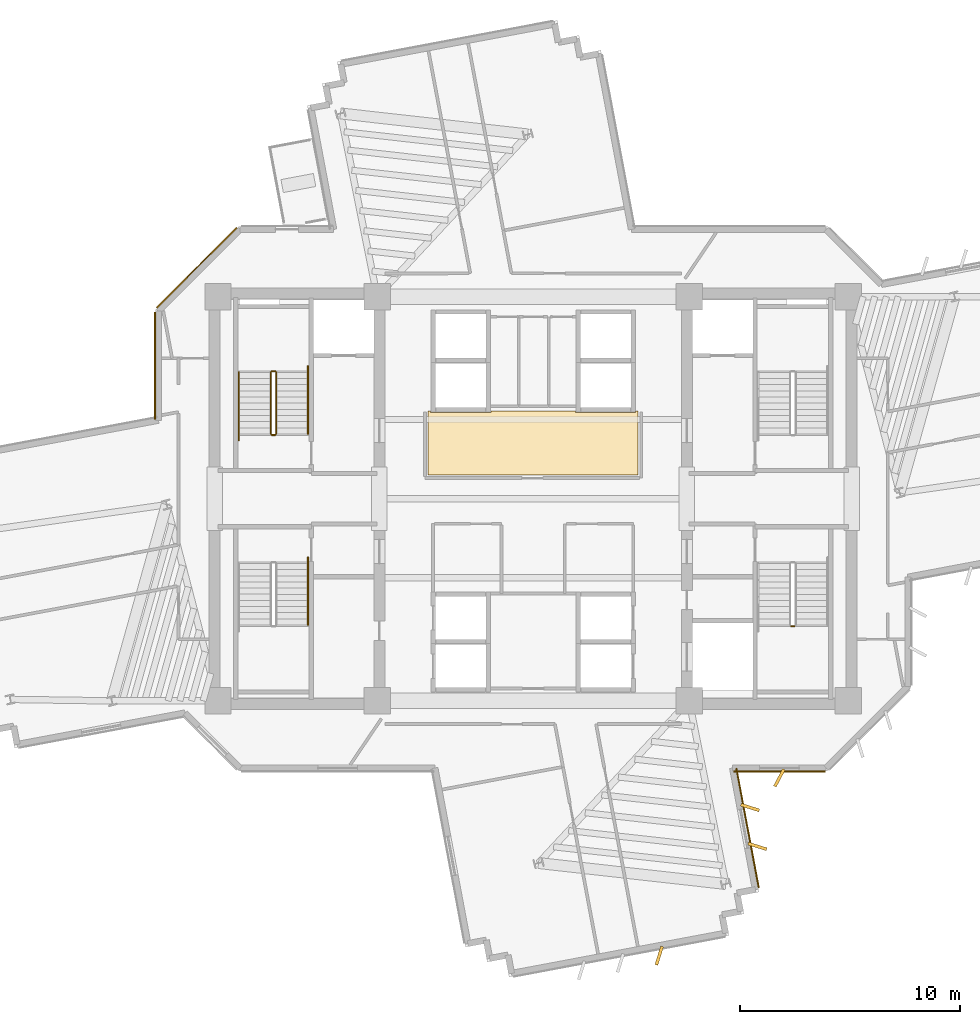
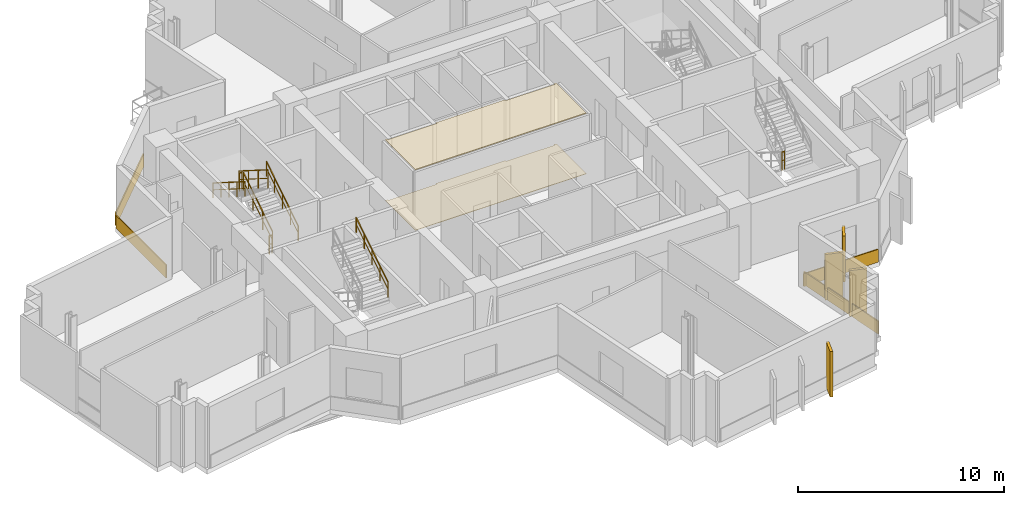
# One storey, part 14 of 16: 10 coverings, 8 railings.
"""IFC4 building model written with IfcOpenShell, lengths in metres."""

from ifc_helpers import new_model, si_unit, direction, frame, origin, origin_2d, place, context, subcontext, project, spatial, polyline, rectangle, outline, extrude, source, transform, mapped, material, layer, layer_set, type_object, element, save


model = new_model("IFC4")

# Units and contexts
model_context = context("Model", 3, precision=1e-05, world=origin(), true_north=direction((0.0, 1.0)))
body_context = subcontext(model_context, "Body", "Model", "MODEL_VIEW")
ifc_project = project(units=[si_unit("LENGTHUNIT", "METRE"), si_unit("AREAUNIT", "SQUARE_METRE"), si_unit("VOLUMEUNIT", "CUBIC_METRE"), si_unit("PLANEANGLEUNIT", "RADIAN"), si_unit("MASSUNIT", "GRAM", prefix="KILO")], contexts=[model_context])

# Site, building, storey
site_placement = place(None, origin())
site = spatial("IfcSite", under=ifc_project, at=site_placement, CompositionType="ELEMENT")
building_placement = place(site_placement, origin())
building = spatial("IfcBuilding", under=site, at=building_placement, Name="Zahravan Cultural Tower", CompositionType="ELEMENT")
storey_placement = place(building_placement, frame((0.0, 0.0, 147.300048828125)))
storey = spatial("IfcBuildingStorey", under=building, at=storey_placement, Name="L33", CompositionType="ELEMENT", Elevation=147.300048828125)

# Coverings
ifc_material_1 = material(Name="Acoustic mineral fibreboard")
ifc_layer_1 = layer(ifc_material_1, 0.0400390625)
ifc_layer_set_1 = layer_set([ifc_layer_1], Name="Acoustic mineral fibreboard")
covering_type_1 = type_object("IfcCoveringType", Name="COV-CEIL-AC20", PredefinedType="CEILING", material=ifc_layer_set_1)
covering_1_placement = place(storey_placement, frame((0.0, 0.0, 3.579833984375)))
element("IfcCovering", 1, at=covering_1_placement, inside=storey, type_object=covering_type_1, Name="L33 Acoustic Suspended Ceiling", PredefinedType="CEILING", context=body_context, shape_type="SweptSolid", body=[
    extrude(outline(polyline([(31.219970703125, 31.0), (31.219970703125, 28.080078125), (40.780029296875, 28.080078125), (40.780029296875, 31.0), (40.669921875, 31.0), (40.669921875, 30.929931640625), (37.929931640625, 30.929931640625), (37.929931640625, 31.0), (34.070068359375, 31.0), (34.070068359375, 30.929931640625), (31.330078125, 30.929931640625), (31.330078125, 31.0), (31.219970703125, 31.0)])), origin(), (0.0, 0.0, 1.0), 0.0400390625),
])
ifc_material_2 = material(Name="Terrazzo flooring")
ifc_layer_2 = layer(ifc_material_2, 0.02490234375)
ifc_layer_set_2 = layer_set([ifc_layer_2], Name="Terrazzo flooring")
covering_type_2 = type_object("IfcCoveringType", Name="COV-FLR-TZ25", PredefinedType="FLOORING", material=ifc_layer_set_2)
covering_2_placement = place(storey_placement, origin())
element("IfcCovering", 2, at=covering_2_placement, inside=storey, type_object=covering_type_2, Name="L33 Polished Terrazzo Flooring", PredefinedType="FLOORING", context=body_context, shape_type="SweptSolid", body=[
    extrude(outline(polyline([(31.219970703125, 31.0), (31.219970703125, 28.080078125), (40.780029296875, 28.080078125), (40.780029296875, 31.0), (40.669921875, 31.0), (40.669921875, 30.929931640625), (37.929931640625, 30.929931640625), (37.929931640625, 31.0), (34.070068359375, 31.0), (34.070068359375, 30.929931640625), (31.330078125, 30.929931640625), (31.330078125, 31.0), (31.219970703125, 31.0)])), origin(), (0.0, 0.0, 1.0), 0.02490234375),
])

# Railings
ifc_material_3 = material(Name="Steel ASTM A572 Grade 50", Category="steel")
railing_type_1 = type_object("IfcRailingType", Name="RL-STAIR-GRD1150", PredefinedType="BALUSTRADE", material=ifc_material_3)
railing_1_placement = place(storey_placement, frame((24.300048828125, 29.949951171875, 0.17724609375)))
element("IfcRailing", 3, at=railing_1_placement, inside=storey, type_object=railing_type_1, Name="L33 ST-W1 stair guard 1", PredefinedType="BALUSTRADE", context=body_context, shape_type="SweptSolid", body=[
    extrude(rectangle(XDim=0.05, YDim=0.05, at=origin_2d()), frame((0.0, 0.0, 1.0751953125), z_axis=(0.0, 0.844908973607, 0.534910110503), x_axis=(-1.0, 0.0, 0.0)), (0.0, 0.0, 1.0), 3.31396484375),
    extrude(rectangle(XDim=0.032, YDim=0.032, at=origin_2d()), frame((0.0, 0.0, 0.572021484375), z_axis=(0.0, 0.844908973607, 0.534910110503), x_axis=(-1.0, 0.0, 0.0)), (0.0, 0.0, 1.0), 3.31396484375),
    extrude(rectangle(XDim=0.04, YDim=0.04, at=origin_2d()), origin(), (0.0, 0.0, 1.0), 1.10009765625),
    extrude(rectangle(XDim=0.04, YDim=0.04, at=origin_2d()), frame((0.0, 0.933349609375, 0.5908203125)), (0.0, 0.0, 1.0), 1.10009765625),
    extrude(rectangle(XDim=0.04, YDim=0.04, at=origin_2d()), frame((0.0, 1.86669921875, 1.181884765625)), (0.0, 0.0, 1.0), 1.10009765625),
    extrude(rectangle(XDim=0.04, YDim=0.04, at=origin_2d()), frame((0.0, 2.800048828125, 1.772705078125)), (0.0, 0.0, 1.0), 1.10009765625),
])
railing_2_placement = place(storey_placement, frame((24.25, 32.800048828125, 1.949951171875)))
element("IfcRailing", 4, at=railing_2_placement, inside=storey, type_object=railing_type_1, Name="L33 ST-W1 stair guard 2", PredefinedType="BALUSTRADE", context=body_context, shape_type="SweptSolid", body=[
    extrude(rectangle(XDim=0.05, YDim=0.05, at=origin_2d()), frame((0.0, 0.0, 1.0751953125), z_axis=(-1.0, 0.0, 0.0), x_axis=(0.0, -1.0, 0.0)), (0.0, 0.0, 1.0), 0.14990234375),
    extrude(rectangle(XDim=0.032, YDim=0.032, at=origin_2d()), frame((0.0, 0.0, 0.572021484375), z_axis=(-1.0, 0.0, 0.0), x_axis=(0.0, -1.0, 0.0)), (0.0, 0.0, 1.0), 0.14990234375),
    extrude(rectangle(XDim=0.04, YDim=0.04, at=origin_2d()), origin(), (0.0, 0.0, 1.0), 1.10009765625),
    extrude(rectangle(XDim=0.04, YDim=0.04, at=origin_2d()), frame((-0.14990234375, 0.0, 0.0)), (0.0, 0.0, 1.0), 1.10009765625),
])
railing_3_placement = place(storey_placement, frame((24.050048828125, 32.75, 2.127197265625)))
element("IfcRailing", 5, at=railing_3_placement, inside=storey, type_object=railing_type_1, Name="L33 ST-W1 stair guard 3", PredefinedType="BALUSTRADE", context=body_context, shape_type="SweptSolid", body=[
    extrude(rectangle(XDim=0.05, YDim=0.05, at=origin_2d()), frame((0.0, 0.0, 1.0751953125), z_axis=(0.0, -0.844908973607, 0.534910110503), x_axis=(1.0, 0.0, 0.0)), (0.0, 0.0, 1.0), 3.31396484375),
    extrude(rectangle(XDim=0.032, YDim=0.032, at=origin_2d()), frame((0.0, 0.0, 0.572021484375), z_axis=(0.0, -0.844908973607, 0.534910110503), x_axis=(1.0, 0.0, 0.0)), (0.0, 0.0, 1.0), 3.31396484375),
    extrude(rectangle(XDim=0.04, YDim=0.04, at=origin_2d()), origin(), (0.0, 0.0, 1.0), 1.10009765625),
    extrude(rectangle(XDim=0.04, YDim=0.04, at=origin_2d()), frame((0.0, -0.933349609375, 0.5908203125)), (0.0, 0.0, 1.0), 1.10009765625),
    extrude(rectangle(XDim=0.04, YDim=0.04, at=origin_2d()), frame((0.0, -1.86669921875, 1.181884765625)), (0.0, 0.0, 1.0), 1.10009765625),
    extrude(rectangle(XDim=0.04, YDim=0.04, at=origin_2d()), frame((0.0, -2.800048828125, 1.772705078125)), (0.0, 0.0, 1.0), 1.10009765625),
])
railing_4_placement = place(storey_placement, frame((24.25, 29.89990234375, 0.0)))
element("IfcRailing", 6, at=railing_4_placement, inside=storey, type_object=railing_type_1, Name="L33 ST-W1 stair guard 4", PredefinedType="BALUSTRADE", context=body_context, shape_type="SweptSolid", body=[
    extrude(rectangle(XDim=0.05, YDim=0.05, at=origin_2d()), frame((0.0, 0.0, 1.0751953125), z_axis=(-1.0, 0.0, 0.0), x_axis=(0.0, -1.0, 0.0)), (0.0, 0.0, 1.0), 0.14990234375),
    extrude(rectangle(XDim=0.032, YDim=0.032, at=origin_2d()), frame((0.0, 0.0, 0.572021484375), z_axis=(-1.0, 0.0, 0.0), x_axis=(0.0, -1.0, 0.0)), (0.0, 0.0, 1.0), 0.14990234375),
    extrude(rectangle(XDim=0.04, YDim=0.04, at=origin_2d()), origin(), (0.0, 0.0, 1.0), 1.10009765625),
    extrude(rectangle(XDim=0.04, YDim=0.04, at=origin_2d()), frame((-0.14990234375, 0.0, 0.0)), (0.0, 0.0, 1.0), 1.10009765625),
])
railing_5_placement = place(storey_placement, frame((47.75, 21.199951171875, 1.949951171875)))
element("IfcRailing", 7, at=railing_5_placement, inside=storey, type_object=railing_type_1, Name="L33 ST-E2 stair guard 2", PredefinedType="BALUSTRADE", context=body_context, shape_type="SweptSolid", body=[
    extrude(rectangle(XDim=0.05, YDim=0.05, at=origin_2d()), frame((0.0, 0.0, 1.0751953125), z_axis=(1.0, 0.0, 0.0), x_axis=(0.0, 1.0, 0.0)), (0.0, 0.0, 1.0), 0.14990234375),
    extrude(rectangle(XDim=0.032, YDim=0.032, at=origin_2d()), frame((0.0, 0.0, 0.572021484375), z_axis=(1.0, 0.0, 0.0), x_axis=(0.0, 1.0, 0.0)), (0.0, 0.0, 1.0), 0.14990234375),
    extrude(rectangle(XDim=0.04, YDim=0.04, at=origin_2d()), origin(), (0.0, 0.0, 1.0), 1.10009765625),
    extrude(rectangle(XDim=0.04, YDim=0.04, at=origin_2d()), frame((0.14990234375, 0.0, 0.0)), (0.0, 0.0, 1.0), 1.10009765625),
])
railing_type_2 = type_object("IfcRailingType", Name="RL-STAIR-HR900", PredefinedType="HANDRAIL", material=ifc_material_3)
railing_6_placement = place(storey_placement, frame((25.75, 29.949951171875, 0.17724609375)))
element("IfcRailing", 8, at=railing_6_placement, inside=storey, type_object=railing_type_2, Name="L33 ST-W1 stair handrail 1", PredefinedType="HANDRAIL", context=body_context, shape_type="SweptSolid", body=[
    extrude(rectangle(XDim=0.05, YDim=0.05, at=origin_2d()), frame((0.0, 0.0, 0.875), z_axis=(0.0, 0.844913916606, 0.534902302785), x_axis=(-1.0, 0.0, 0.0)), (0.0, 0.0, 1.0), 3.6455078125),
    extrude(rectangle(XDim=0.032, YDim=0.032, at=origin_2d()), frame((0.0, 0.0, 0.468017578125), z_axis=(0.0, 0.844913916606, 0.534902302785), x_axis=(-1.0, 0.0, 0.0)), (0.0, 0.0, 1.0), 3.6455078125),
    extrude(rectangle(XDim=0.04, YDim=0.04, at=origin_2d()), origin(), (0.0, 0.0, 1.0), 0.89990234375),
    extrude(rectangle(XDim=0.04, YDim=0.04, at=origin_2d()), frame((0.0, 0.77001953125, 0.487548828125)), (0.0, 0.0, 1.0), 0.89990234375),
    extrude(rectangle(XDim=0.04, YDim=0.04, at=origin_2d()), frame((0.0, 1.5400390625, 0.97509765625)), (0.0, 0.0, 1.0), 0.89990234375),
    extrude(rectangle(XDim=0.04, YDim=0.04, at=origin_2d()), frame((0.0, 2.31005859375, 1.46240234375)), (0.0, 0.0, 1.0), 0.89990234375),
    extrude(rectangle(XDim=0.04, YDim=0.04, at=origin_2d()), frame((0.0, 3.080078125, 1.949951171875)), (0.0, 0.0, 1.0), 0.89990234375),
])
railing_7_placement = place(storey_placement, frame((22.60009765625, 32.75, 2.127197265625)))
element("IfcRailing", 9, at=railing_7_placement, inside=storey, type_object=railing_type_2, Name="L33 ST-W1 stair handrail 2", PredefinedType="HANDRAIL", context=body_context, shape_type="SweptSolid", body=[
    extrude(rectangle(XDim=0.05, YDim=0.05, at=origin_2d()), frame((0.0, 0.0, 0.875), z_axis=(0.0, -0.844913916606, 0.534902302785), x_axis=(1.0, 0.0, 0.0)), (0.0, 0.0, 1.0), 3.6455078125),
    extrude(rectangle(XDim=0.032, YDim=0.032, at=origin_2d()), frame((0.0, 0.0, 0.468017578125), z_axis=(0.0, -0.844913916606, 0.534902302785), x_axis=(1.0, 0.0, 0.0)), (0.0, 0.0, 1.0), 3.6455078125),
    extrude(rectangle(XDim=0.04, YDim=0.04, at=origin_2d()), origin(), (0.0, 0.0, 1.0), 0.89990234375),
    extrude(rectangle(XDim=0.04, YDim=0.04, at=origin_2d()), frame((0.0, -0.77001953125, 0.487548828125)), (0.0, 0.0, 1.0), 0.89990234375),
    extrude(rectangle(XDim=0.04, YDim=0.04, at=origin_2d()), frame((0.0, -1.5400390625, 0.97509765625)), (0.0, 0.0, 1.0), 0.89990234375),
    extrude(rectangle(XDim=0.04, YDim=0.04, at=origin_2d()), frame((0.0, -2.31005859375, 1.46240234375)), (0.0, 0.0, 1.0), 0.89990234375),
    extrude(rectangle(XDim=0.04, YDim=0.04, at=origin_2d()), frame((0.0, -3.080078125, 1.949951171875)), (0.0, 0.0, 1.0), 0.89990234375),
])
railing_8_placement = place(storey_placement, frame((25.75, 21.25, 2.127197265625)))
element("IfcRailing", 10, at=railing_8_placement, inside=storey, type_object=railing_type_2, Name="L33 ST-W2 stair handrail 2", PredefinedType="HANDRAIL", context=body_context, shape_type="SweptSolid", body=[
    extrude(rectangle(XDim=0.05, YDim=0.05, at=origin_2d()), frame((0.0, 0.0, 0.875), z_axis=(0.0, 0.844913916606, 0.534902302785), x_axis=(-1.0, 0.0, 0.0)), (0.0, 0.0, 1.0), 3.6455078125),
    extrude(rectangle(XDim=0.032, YDim=0.032, at=origin_2d()), frame((0.0, 0.0, 0.468017578125), z_axis=(0.0, 0.844913916606, 0.534902302785), x_axis=(-1.0, 0.0, 0.0)), (0.0, 0.0, 1.0), 3.6455078125),
    extrude(rectangle(XDim=0.04, YDim=0.04, at=origin_2d()), origin(), (0.0, 0.0, 1.0), 0.89990234375),
    extrude(rectangle(XDim=0.04, YDim=0.04, at=origin_2d()), frame((0.0, 0.77001953125, 0.487548828125)), (0.0, 0.0, 1.0), 0.89990234375),
    extrude(rectangle(XDim=0.04, YDim=0.04, at=origin_2d()), frame((0.0, 1.5400390625, 0.97509765625)), (0.0, 0.0, 1.0), 0.89990234375),
    extrude(rectangle(XDim=0.04, YDim=0.04, at=origin_2d()), frame((0.0, 2.31005859375, 1.46240234375)), (0.0, 0.0, 1.0), 0.89990234375),
    extrude(rectangle(XDim=0.04, YDim=0.04, at=origin_2d()), frame((0.0, 3.080078125, 1.949951171875)), (0.0, 0.0, 1.0), 0.89990234375),
])

# Coverings
ifc_material_4 = material(Name="Terracotta ceramic cladding", Category="masonry")
ifc_layer_3 = layer(ifc_material_4, 0.06005859375)
ifc_layer_set_3 = layer_set([ifc_layer_3], Name="Terracotta ceramic cladding")
covering_type_3 = type_object("IfcCoveringType", Name="COV-CLAD-TC60", PredefinedType="CLADDING", material=ifc_layer_set_3)
shared_shape_1 = source(origin(), body_context, "Body", "SweptSolid", [
    extrude(rectangle(XDim=5.157958984375, YDim=0.06005859375, at=origin_2d()), origin(), (0.0, 0.0, 1.0), 0.760009765625),
])
covering_3_placement = place(storey_placement, frame((20.682373046875, 37.517578125, 0.02001953125), z_axis=(0.0, 0.0, 1.0), x_axis=(0.707106781187, 0.707106781187, 0.0)))
element("IfcCovering", 11, at=covering_3_placement, inside=storey, type_object=covering_type_3, Name="L33 Terracotta Spandrel Cladding 38", PredefinedType="CLADDING", context=body_context, shape_type="MappedRepresentation", body=[
    mapped(shared_shape_1, transform((0.0, 0.0, 0.0), x_axis=(1.0, 0.0, 0.0), y_axis=(0.0, 1.0, 0.0), z_axis=(0.0, 0.0, 1.0), scale=1.0)),
])
shared_shape_2 = source(origin(), body_context, "Body", "SweptSolid", [
    extrude(rectangle(XDim=0.8798828125, YDim=0.139892578125, at=origin_2d()), origin(), (0.0, 0.0, 1.0), 2.699951171875),
])
for number, where, z_axis, x_axis, name in (
    (12, (47.2109375, 14.2900390625, 0.0498046875), (0.0, 0.0, 1.0), (-0.469471562786, -0.882947592859, 0.0), "L33 Herringbone Terracotta Fin 11"),
    (13, (45.8759765625, 12.93896484375, 0.0498046875), (0.0, 0.0, 1.0), (0.954454073286, -0.298357875692, 0.0), "L33 Herringbone Terracotta Fin 12"),
    (14, (46.20849609375, 11.169921875, 0.0498046875), (0.0, 0.0, 1.0), (0.954454073286, -0.298357875692, 0.0), "L33 Herringbone Terracotta Fin 13"),
    (15, (41.740478515625, 6.192138671875, 0.0498046875), (0.0, 0.0, 1.0), (-0.298374534012, -0.954448865814, 0.0), "L33 Herringbone Terracotta Fin 14"),
):
    element("IfcCovering", number, at=place(storey_placement, frame(where, z_axis=z_axis, x_axis=x_axis)), inside=storey, type_object=covering_type_3, Name=name, PredefinedType="CLADDING", context=body_context, shape_type="MappedRepresentation", body=[
        mapped(shared_shape_2, transform((0.0, 0.0, 0.0), x_axis=(1.0, 0.0, 0.0), y_axis=(0.0, 1.0, 0.0), z_axis=(0.0, 0.0, 1.0), scale=1.0)),
    ])
shared_shape_3 = source(origin(), body_context, "Body", "SweptSolid", [
    extrude(rectangle(XDim=4.870361328125, YDim=0.06005859375, at=origin_2d()), origin(), (0.0, 0.0, 1.0), 0.760009765625),
])
covering_4_placement = place(storey_placement, frame((18.77490234375, 33.056884765625, 0.02001953125), z_axis=(0.0, 0.0, 1.0), x_axis=(0.0, 1.0, 0.0)))
element("IfcCovering", 16, at=covering_4_placement, inside=storey, type_object=covering_type_3, Name="L33 Terracotta Spandrel Cladding 37", PredefinedType="CLADDING", context=body_context, shape_type="MappedRepresentation", body=[
    mapped(shared_shape_3, transform((0.0, 0.0, 0.0), x_axis=(1.0, 0.0, 0.0), y_axis=(0.0, 1.0, 0.0), z_axis=(0.0, 0.0, 1.0), scale=1.0)),
])
shared_shape_4 = source(origin(), body_context, "Body", "SweptSolid", [
    extrude(rectangle(XDim=4.162353515625, YDim=0.06005859375, at=origin_2d()), origin(), (0.0, 0.0, 1.0), 0.760009765625),
])
covering_5_placement = place(storey_placement, frame((47.2109375, 14.574951171875, 0.02001953125), z_axis=(0.0, 0.0, 1.0), x_axis=(-1.0, 0.0, 0.0)))
element("IfcCovering", 17, at=covering_5_placement, inside=storey, type_object=covering_type_3, Name="L33 Terracotta Spandrel Cladding 13", PredefinedType="CLADDING", context=body_context, shape_type="MappedRepresentation", body=[
    mapped(shared_shape_4, transform((0.0, 0.0, 0.0), x_axis=(1.0, 0.0, 0.0), y_axis=(0.0, 1.0, 0.0), z_axis=(0.0, 0.0, 1.0), scale=1.0)),
])
shared_shape_5 = source(origin(), body_context, "Body", "SweptSolid", [
    extrude(rectangle(XDim=5.5341796875, YDim=0.06005859375, at=origin_2d()), origin(), (0.0, 0.0, 1.0), 0.760009765625),
])
covering_6_placement = place(storey_placement, frame((45.76220703125, 12.001708984375, 0.02001953125), z_axis=(0.0, 0.0, 1.0), x_axis=(0.184654677241, -0.982803464673, 0.0)))
element("IfcCovering", 18, at=covering_6_placement, inside=storey, type_object=covering_type_3, Name="L33 Terracotta Spandrel Cladding 14", PredefinedType="CLADDING", context=body_context, shape_type="MappedRepresentation", body=[
    mapped(shared_shape_5, transform((0.0, 0.0, 0.0), x_axis=(1.0, 0.0, 0.0), y_axis=(0.0, 1.0, 0.0), z_axis=(0.0, 0.0, 1.0), scale=1.0)),
])

save(model, "model.ifc")
